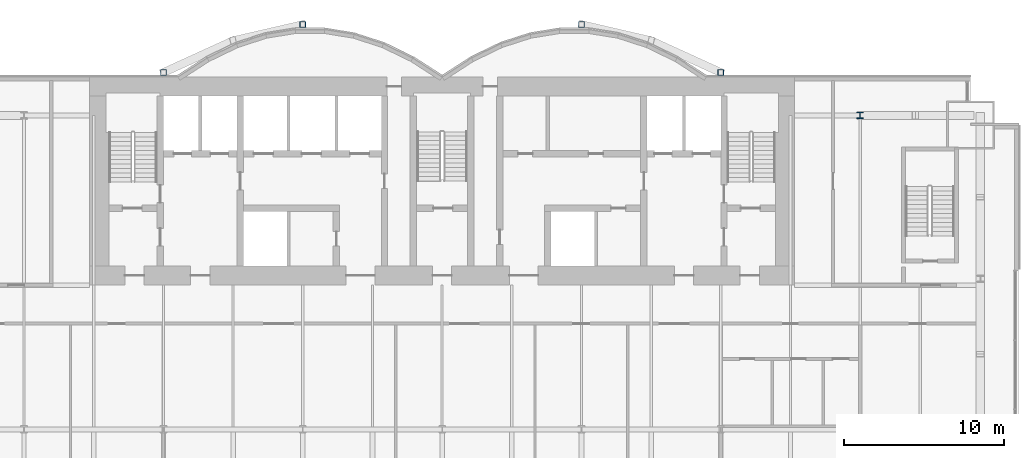
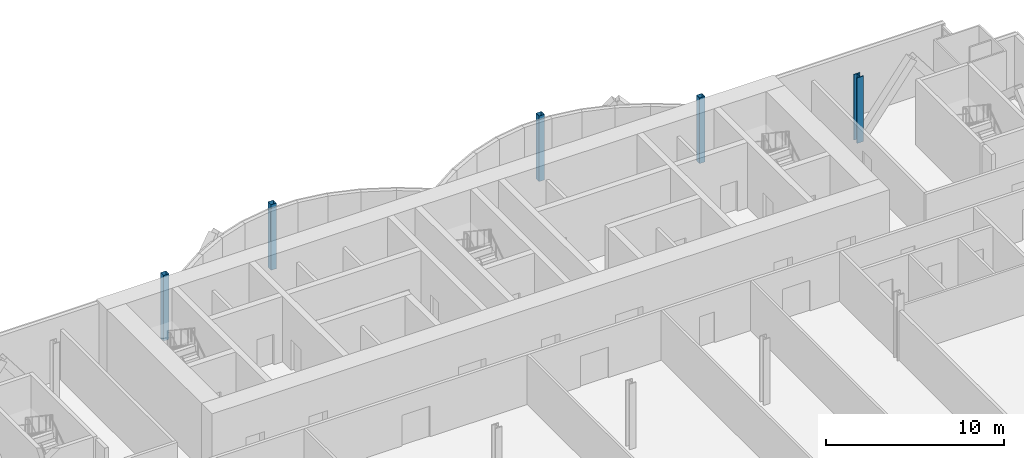
# One storey, part 2 of 21: 5 columns.
"""IFC4 building model written with IfcOpenShell, lengths in metres."""

from ifc_helpers import new_model, si_unit, direction, frame, origin, origin_2d, place, context, subcontext, project, spatial, hollow_rectangle, i_section, extrude, material, material_profile, profile_set, type_object, element, save


model = new_model("IFC4")

# Units and contexts
model_context = context("Model", 3, precision=1e-05, world=origin(), true_north=direction((0.0, 1.0)))
body_context = subcontext(model_context, "Body", "Model", "MODEL_VIEW")
ifc_project = project(units=[si_unit("LENGTHUNIT", "METRE"), si_unit("AREAUNIT", "SQUARE_METRE"), si_unit("VOLUMEUNIT", "CUBIC_METRE"), si_unit("PLANEANGLEUNIT", "RADIAN"), si_unit("MASSUNIT", "GRAM", prefix="KILO")], contexts=[model_context])

# Site, building, storey
site_placement = place(None, origin())
site = spatial("IfcSite", under=ifc_project, at=site_placement, CompositionType="ELEMENT")
building_placement = place(site_placement, origin())
building = spatial("IfcBuilding", under=site, at=building_placement, Name="Bicima Exchange Tower", CompositionType="ELEMENT")
storey_placement = place(building_placement, frame((0.0, 0.0, 48.5)))
storey = spatial("IfcBuildingStorey", under=building, at=storey_placement, Name="L09", CompositionType="ELEMENT", Elevation=48.5)

# Columns
ifc_material_1 = material(Name="Steel ASTM A992 Gr 50", Category="steel")
ifc_material_profile_1 = material_profile(ifc_material_1, i_section(OverallWidth=0.406494140625, OverallDepth=0.41650390625, WebThickness=0.030029296875, FlangeThickness=0.048095703125, at=origin_2d()))
ifc_profile_set_1 = profile_set([ifc_material_profile_1], Name="Steel ASTM A992 Gr 50")
column_type_1 = type_object("IfcColumnType", Name="Perimeter column W14x257", PredefinedType="COLUMN", material=ifc_profile_set_1)
column_placement = place(storey_placement, frame((26.10009765625, -2.39990234375, 0.0), z_axis=(0.0, 0.0, 1.0), x_axis=(1.0, 0.0, 0.0)))
element("IfcColumn", 1, at=column_placement, inside=storey, type_object=column_type_1, Name="Perimeter column grav+26.1r", PredefinedType="COLUMN", context=body_context, shape_type="SweptSolid", body=[
    extrude(i_section(OverallWidth=0.406494140625, OverallDepth=0.41650390625, WebThickness=0.030029296875, FlangeThickness=0.048095703125, at=origin_2d()), origin(), (0.0, 0.0, 1.0), 4.5),
])
ifc_material_2 = material(Name="Steel ASTM A572 Gr 50", Category="steel")
ifc_material_profile_2 = material_profile(ifc_material_2, hollow_rectangle(XDim=0.355712890625, YDim=0.355712890625, WallThickness=0.01171875, at=origin_2d()))
ifc_profile_set_2 = profile_set([ifc_material_profile_2], Name="Steel ASTM A572 Gr 50")
column_type_2 = type_object("IfcColumnType", Name="Rear pilaster HSS14x14x1/2", PredefinedType="COLUMN", material=ifc_profile_set_2)
for number, where, z_axis, x_axis, name in (
    (2, (-8.699951171875, 3.26904296875, 0.0), (0.0, 0.0, 1.0), (1.0, 0.0, 0.0), "Rear pilaster rexo-8.7r"),
    (3, (-17.39990234375, 0.278076171875, 0.0), (0.0, 0.0, 1.0), (1.0, 0.0, 0.0), "Rear pilaster rexo-17.4r"),
    (4, (8.699951171875, 3.26904296875, 0.0), (0.0, 0.0, 1.0), (1.0, 0.0, 0.0), "Rear pilaster rexo+8.7r"),
    (5, (17.39990234375, 0.278076171875, 0.0), (0.0, 0.0, 1.0), (1.0, 0.0, 0.0), "Rear pilaster rexo+17.4r"),
):
    element("IfcColumn", number, at=place(storey_placement, frame(where, z_axis=z_axis, x_axis=x_axis)), inside=storey, type_object=column_type_2, Name=name, PredefinedType="COLUMN", context=body_context, shape_type="SweptSolid", body=[
        extrude(hollow_rectangle(XDim=0.355712890625, YDim=0.355712890625, WallThickness=0.01171875, at=origin_2d()), origin(), (0.0, 0.0, 1.0), 4.5),
    ])

save(model, "model.ifc")
